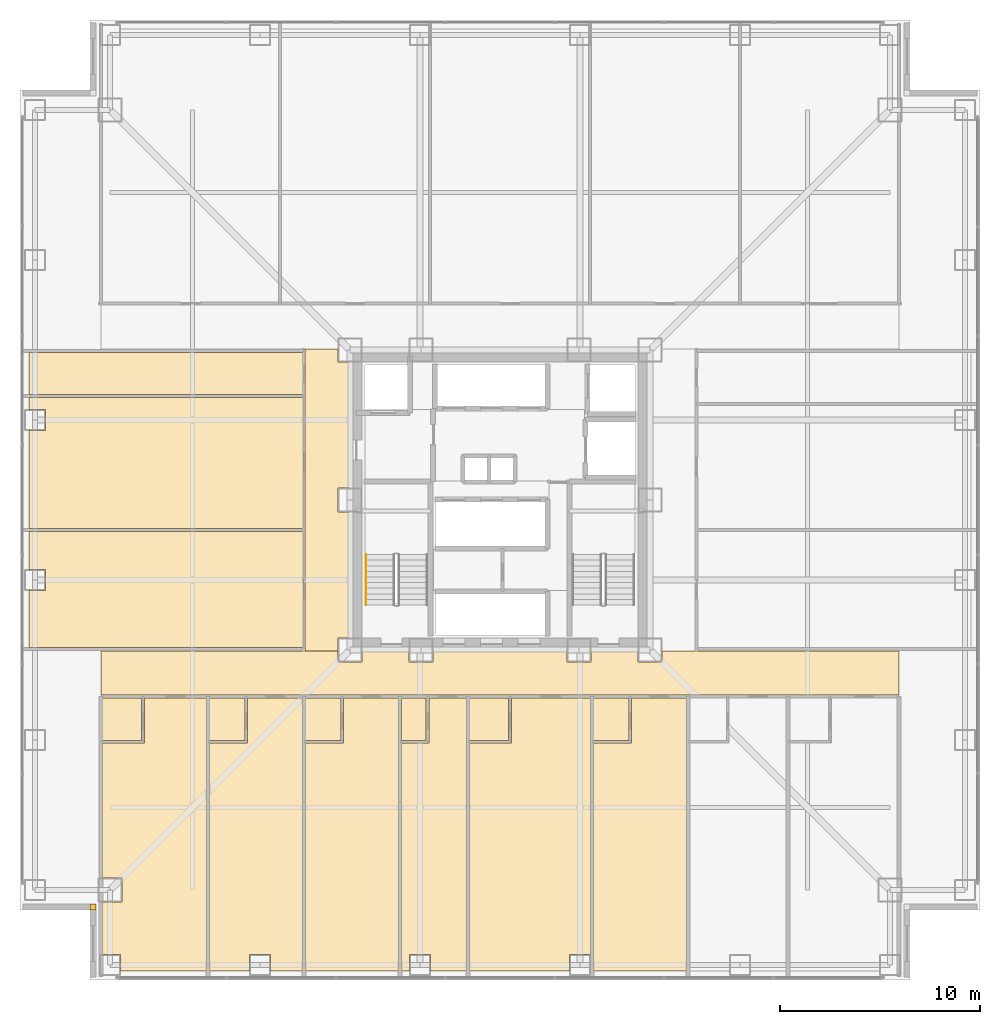
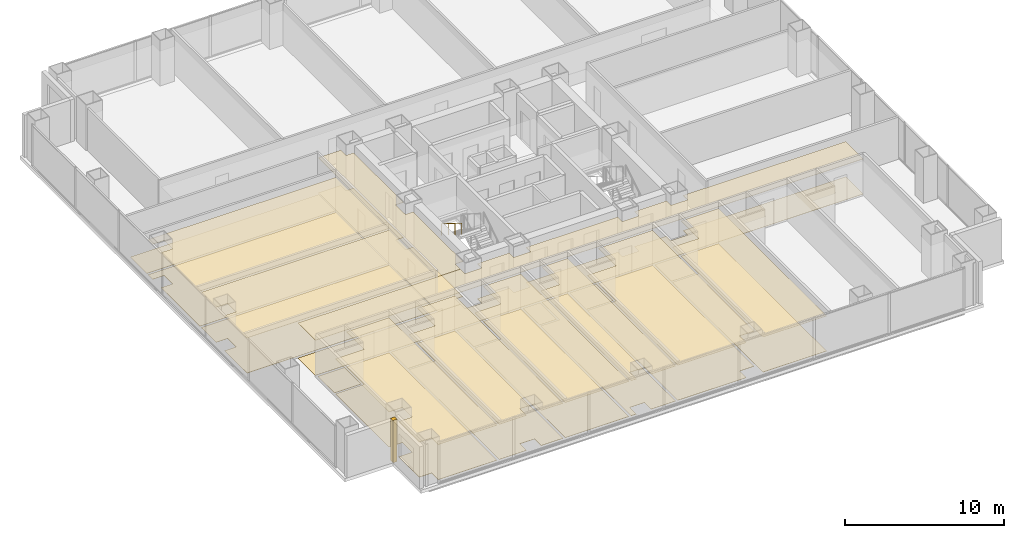
# One storey, part 18 of 20: 28 coverings, 1 railing.
"""IFC4 building model written with IfcOpenShell, lengths in metres."""

from ifc_helpers import new_model, si_unit, direction, frame, origin, origin_2d, place, context, subcontext, project, spatial, polyline, circle, outline, extrude, material, layer, layer_set, type_object, element, save


model = new_model("IFC4")

# Units and contexts
model_context = context("Model", 3, precision=1e-05, world=origin(), true_north=direction((0.0, 1.0)))
body_context = subcontext(model_context, "Body", "Model", "MODEL_VIEW")
ifc_project = project(units=[si_unit("LENGTHUNIT", "METRE"), si_unit("AREAUNIT", "SQUARE_METRE"), si_unit("VOLUMEUNIT", "CUBIC_METRE"), si_unit("PLANEANGLEUNIT", "RADIAN"), si_unit("MASSUNIT", "GRAM", prefix="KILO")], contexts=[model_context])

# Site, building, storey
site_placement = place(None, origin())
site = spatial("IfcSite", under=ifc_project, at=site_placement, CompositionType="ELEMENT")
building_placement = place(site_placement, origin())
building = spatial("IfcBuilding", under=site, at=building_placement, Name="Trevonay Congress Spire", CompositionType="ELEMENT")
storey_placement = place(building_placement, frame((0.0, 0.0, 62.0)))
storey = spatial("IfcBuildingStorey", under=building, at=storey_placement, Name="L15", CompositionType="ELEMENT", Elevation=62.0)

# Coverings
ifc_material_1 = material(Name="Acoustic Mineral Fibre Board", Category="gypsum")
ifc_layer_1 = layer(ifc_material_1, 0.02490234375, Name="Acoustic Mineral Fibre Board")
ifc_layer_set_1 = layer_set([ifc_layer_1], Name="Acoustic Mineral Fibre Board")
covering_type_1 = type_object("IfcCoveringType", Name="COV-CEIL-ACOUSTIC", PredefinedType="CEILING", material=ifc_layer_set_1)
covering_1_placement = place(storey_placement, frame((0.0, 0.0, 2.699951171875)))
element("IfcCovering", 1, at=covering_1_placement, inside=storey, type_object=covering_type_1, Name="L15 Hotel Floor Corridor South acoustic suspended ceiling", PredefinedType="CEILING", context=body_context, shape_type="SweptSolid", body=[
    extrude(outline(polyline([(19.949951171875, -7.550048828125), (19.949951171875, -9.75), (-19.949951171875, -9.75), (-19.949951171875, -7.550048828125), (-8.110107421875, -7.550048828125), (-8.110107421875, -8.110107421875), (-6.889892578125, -8.110107421875), (-6.889892578125, -7.550048828125), (-4.56005859375, -7.550048828125), (-4.56005859375, -8.110107421875), (-3.340087890625, -8.110107421875), (-3.340087890625, -7.550048828125), (3.340087890625, -7.550048828125), (3.340087890625, -8.110107421875), (4.56005859375, -8.110107421875), (4.56005859375, -7.550048828125), (6.889892578125, -7.550048828125), (6.889892578125, -8.110107421875), (8.110107421875, -8.110107421875), (8.110107421875, -7.550048828125), (19.949951171875, -7.550048828125)])), origin(), (0.0, 0.0, 1.0), 0.025146484375),
])
covering_2_placement = place(storey_placement, frame((0.0, 0.0, 2.699951171875)))
element("IfcCovering", 2, at=covering_2_placement, inside=storey, type_object=covering_type_1, Name="L15 Hotel Floor Corridor West acoustic suspended ceiling", PredefinedType="CEILING", context=body_context, shape_type="SweptSolid", body=[
    extrude(outline(polyline([(-9.75, 7.550048828125), (-8.110107421875, 7.550048828125), (-8.110107421875, 6.889892578125), (-7.550048828125, 6.889892578125), (-7.550048828125, 0.610107421875), (-8.110107421875, 0.610107421875), (-8.110107421875, -0.610107421875), (-7.550048828125, -0.610107421875), (-7.550048828125, -6.889892578125), (-8.110107421875, -6.889892578125), (-8.110107421875, -7.550048828125), (-9.75, -7.550048828125), (-9.75, 7.550048828125)])), origin(), (0.0, 0.0, 1.0), 0.025146484375),
])
covering_3_placement = place(storey_placement, frame((0.0, 0.0, 2.699951171875)))
element("IfcCovering", 3, at=covering_3_placement, inside=storey, type_object=covering_type_1, Name="L15 Hotel Guest Room acoustic suspended ceiling", PredefinedType="CEILING", context=body_context, shape_type="SweptSolid", body=[
    extrude(outline(polyline([(-19.8701171875, -12.139892578125), (-17.780029296875, -12.139892578125), (-17.780029296875, -9.909912109375), (-14.679931640625, -9.909912109375), (-14.679931640625, -23.550048828125), (-18.965087890625, -23.550048828125), (-18.965087890625, -22.715087890625), (-19.8701171875, -22.715087890625), (-19.8701171875, -20.110107421875), (-18.889892578125, -20.110107421875), (-18.889892578125, -18.889892578125), (-19.8701171875, -18.889892578125), (-19.8701171875, -12.139892578125)])), origin(), (0.0, 0.0, 1.0), 0.025146484375),
])
covering_4_placement = place(storey_placement, frame((0.0, 0.0, 2.699951171875)))
element("IfcCovering", 4, at=covering_4_placement, inside=storey, type_object=covering_type_1, Name="L15 Corner Hotel Suite acoustic suspended ceiling", PredefinedType="CEILING", context=body_context, shape_type="SweptSolid", body=[
    extrude(outline(polyline([(-14.52001953125, -23.550048828125), (-14.52001953125, -12.139892578125), (-12.616943359375, -12.139892578125), (-12.616943359375, -9.909912109375), (-9.8798828125, -9.909912109375), (-9.8798828125, -23.550048828125), (-11.465087890625, -23.550048828125), (-11.465087890625, -22.715087890625), (-12.534912109375, -22.715087890625), (-12.534912109375, -23.550048828125), (-14.52001953125, -23.550048828125)])), origin(), (0.0, 0.0, 1.0), 0.025146484375),
])
covering_5_placement = place(storey_placement, frame((0.0, 0.0, 2.699951171875)))
element("IfcCovering", 5, at=covering_5_placement, inside=storey, type_object=covering_type_1, Name="L15 Hotel Guest Room acoustic suspended ceiling", PredefinedType="CEILING", context=body_context, shape_type="SweptSolid", body=[
    extrude(outline(polyline([(-9.719970703125, -23.550048828125), (-5.080078125, -23.550048828125), (-5.080078125, -9.909912109375), (-7.81689453125, -9.909912109375), (-7.81689453125, -12.139892578125), (-9.719970703125, -12.139892578125), (-9.719970703125, -23.550048828125)])), origin(), (0.0, 0.0, 1.0), 0.025146484375),
])
covering_6_placement = place(storey_placement, frame((0.0, 0.0, 2.699951171875)))
element("IfcCovering", 6, at=covering_6_placement, inside=storey, type_object=covering_type_1, Name="L15 Hotel Guest Room acoustic suspended ceiling", PredefinedType="CEILING", context=body_context, shape_type="SweptSolid", body=[
    extrude(outline(polyline([(-4.919921875, -23.550048828125), (-4.919921875, -12.139892578125), (-3.549072265625, -12.139892578125), (-3.549072265625, -9.909912109375), (-1.679931640625, -9.909912109375), (-1.679931640625, -23.550048828125), (-3.465087890625, -23.550048828125), (-3.465087890625, -22.715087890625), (-4.534912109375, -22.715087890625), (-4.534912109375, -23.550048828125), (-4.919921875, -23.550048828125)])), origin(), (0.0, 0.0, 1.0), 0.025146484375),
])
covering_7_placement = place(storey_placement, frame((0.0, 0.0, 2.699951171875)))
element("IfcCovering", 7, at=covering_7_placement, inside=storey, type_object=covering_type_1, Name="L15 Hotel Guest Room acoustic suspended ceiling", PredefinedType="CEILING", context=body_context, shape_type="SweptSolid", body=[
    extrude(outline(polyline([(-1.52001953125, -23.550048828125), (-1.52001953125, -12.139892578125), (0.570068359375, -12.139892578125), (0.570068359375, -9.909912109375), (4.52001953125, -9.909912109375), (4.52001953125, -22.715087890625), (3.465087890625, -22.715087890625), (3.465087890625, -23.550048828125), (-1.52001953125, -23.550048828125)])), origin(), (0.0, 0.0, 1.0), 0.025146484375),
])
covering_8_placement = place(storey_placement, frame((0.0, 0.0, 2.699951171875)))
element("IfcCovering", 8, at=covering_8_placement, inside=storey, type_object=covering_type_1, Name="L15 Hotel Guest Room acoustic suspended ceiling", PredefinedType="CEILING", context=body_context, shape_type="SweptSolid", body=[
    extrude(outline(polyline([(4.679931640625, -23.550048828125), (9.320068359375, -23.550048828125), (9.320068359375, -9.909912109375), (6.5830078125, -9.909912109375), (6.5830078125, -12.139892578125), (4.679931640625, -12.139892578125), (4.679931640625, -23.550048828125)])), origin(), (0.0, 0.0, 1.0), 0.025146484375),
])
covering_9_placement = place(storey_placement, frame((0.0, 0.0, 2.699951171875)))
element("IfcCovering", 9, at=covering_9_placement, inside=storey, type_object=covering_type_1, Name="L15 Club Concierge Office acoustic suspended ceiling", PredefinedType="CEILING", context=body_context, shape_type="SweptSolid", body=[
    extrude(outline(polyline([(-23.550048828125, -1.580078125), (-9.830078125, -1.580078125), (-9.830078125, -7.3701171875), (-23.550048828125, -7.3701171875), (-23.550048828125, -4.534912109375), (-22.715087890625, -4.534912109375), (-22.715087890625, -3.465087890625), (-23.550048828125, -3.465087890625), (-23.550048828125, -1.580078125)])), origin(), (0.0, 0.0, 1.0), 0.025146484375),
])
covering_10_placement = place(storey_placement, frame((0.0, 0.0, 2.699951171875)))
element("IfcCovering", 10, at=covering_10_placement, inside=storey, type_object=covering_type_1, Name="L15 Protocol Briefing Office acoustic suspended ceiling", PredefinedType="CEILING", context=body_context, shape_type="SweptSolid", body=[
    extrude(outline(polyline([(-23.550048828125, 5.1201171875), (-9.830078125, 5.1201171875), (-9.830078125, -1.419921875), (-23.550048828125, -1.419921875), (-23.550048828125, 3.465087890625), (-22.715087890625, 3.465087890625), (-22.715087890625, 4.534912109375), (-23.550048828125, 4.534912109375), (-23.550048828125, 5.1201171875)])), origin(), (0.0, 0.0, 1.0), 0.025146484375),
])
ifc_material_2 = material(Name="Polished Granite Floor Tile", Category="masonry")
ifc_layer_2 = layer(ifc_material_2, 0.02001953125, Name="Polished Granite Floor Tile")
ifc_layer_set_2 = layer_set([ifc_layer_2], Name="Polished Granite Floor Tile")
covering_type_2 = type_object("IfcCoveringType", Name="COV-FLOOR-STONE", PredefinedType="FLOORING", material=ifc_layer_set_2)
covering_11_placement = place(storey_placement, origin())
element("IfcCovering", 11, at=covering_11_placement, inside=storey, type_object=covering_type_2, Name="L15 Hotel Floor Corridor South floor finish", PredefinedType="FLOORING", context=body_context, shape_type="SweptSolid", body=[
    extrude(outline(polyline([(19.949951171875, -7.550048828125), (19.949951171875, -9.75), (-19.949951171875, -9.75), (-19.949951171875, -7.550048828125), (-8.110107421875, -7.550048828125), (-8.110107421875, -8.110107421875), (-6.889892578125, -8.110107421875), (-6.889892578125, -7.550048828125), (-4.56005859375, -7.550048828125), (-4.56005859375, -8.110107421875), (-3.340087890625, -8.110107421875), (-3.340087890625, -7.550048828125), (3.340087890625, -7.550048828125), (3.340087890625, -8.110107421875), (4.56005859375, -8.110107421875), (4.56005859375, -7.550048828125), (6.889892578125, -7.550048828125), (6.889892578125, -8.110107421875), (8.110107421875, -8.110107421875), (8.110107421875, -7.550048828125), (19.949951171875, -7.550048828125)])), origin(), (0.0, 0.0, 1.0), 0.02001953125),
])
covering_12_placement = place(storey_placement, origin())
element("IfcCovering", 12, at=covering_12_placement, inside=storey, type_object=covering_type_2, Name="L15 Hotel Floor Corridor West floor finish", PredefinedType="FLOORING", context=body_context, shape_type="SweptSolid", body=[
    extrude(outline(polyline([(-9.75, 7.550048828125), (-8.110107421875, 7.550048828125), (-8.110107421875, 6.889892578125), (-7.550048828125, 6.889892578125), (-7.550048828125, 0.610107421875), (-8.110107421875, 0.610107421875), (-8.110107421875, -0.610107421875), (-7.550048828125, -0.610107421875), (-7.550048828125, -6.889892578125), (-8.110107421875, -6.889892578125), (-8.110107421875, -7.550048828125), (-9.75, -7.550048828125), (-9.75, 7.550048828125)])), origin(), (0.0, 0.0, 1.0), 0.02001953125),
])
covering_13_placement = place(storey_placement, origin())
element("IfcCovering", 13, at=covering_13_placement, inside=storey, type_object=covering_type_2, Name="L15 En-suite Bathroom floor finish", PredefinedType="FLOORING", context=body_context, shape_type="SweptSolid", body=[
    extrude(outline(polyline([(-19.8701171875, -12.02001953125), (-17.919921875, -12.02001953125), (-17.919921875, -9.909912109375), (-19.8701171875, -9.909912109375), (-19.8701171875, -12.02001953125)])), origin(), (0.0, 0.0, 1.0), 0.02001953125),
])
covering_14_placement = place(storey_placement, origin())
element("IfcCovering", 14, at=covering_14_placement, inside=storey, type_object=covering_type_2, Name="L15 En-suite Bathroom floor finish", PredefinedType="FLOORING", context=body_context, shape_type="SweptSolid", body=[
    extrude(outline(polyline([(-14.52001953125, -12.02001953125), (-12.757080078125, -12.02001953125), (-12.757080078125, -9.909912109375), (-14.52001953125, -9.909912109375), (-14.52001953125, -12.02001953125)])), origin(), (0.0, 0.0, 1.0), 0.02001953125),
])
covering_15_placement = place(storey_placement, origin())
element("IfcCovering", 15, at=covering_15_placement, inside=storey, type_object=covering_type_2, Name="L15 En-suite Bathroom floor finish", PredefinedType="FLOORING", context=body_context, shape_type="SweptSolid", body=[
    extrude(outline(polyline([(-9.719970703125, -12.02001953125), (-7.95703125, -12.02001953125), (-7.95703125, -9.909912109375), (-9.719970703125, -9.909912109375), (-9.719970703125, -12.02001953125)])), origin(), (0.0, 0.0, 1.0), 0.02001953125),
])
covering_16_placement = place(storey_placement, origin())
element("IfcCovering", 16, at=covering_16_placement, inside=storey, type_object=covering_type_2, Name="L15 En-suite Bathroom floor finish", PredefinedType="FLOORING", context=body_context, shape_type="SweptSolid", body=[
    extrude(outline(polyline([(-4.919921875, -12.02001953125), (-3.68896484375, -12.02001953125), (-3.68896484375, -9.909912109375), (-4.919921875, -9.909912109375), (-4.919921875, -12.02001953125)])), origin(), (0.0, 0.0, 1.0), 0.02001953125),
])
covering_17_placement = place(storey_placement, origin())
element("IfcCovering", 17, at=covering_17_placement, inside=storey, type_object=covering_type_2, Name="L15 En-suite Bathroom floor finish", PredefinedType="FLOORING", context=body_context, shape_type="SweptSolid", body=[
    extrude(outline(polyline([(-1.52001953125, -12.02001953125), (0.429931640625, -12.02001953125), (0.429931640625, -9.909912109375), (-1.52001953125, -9.909912109375), (-1.52001953125, -12.02001953125)])), origin(), (0.0, 0.0, 1.0), 0.02001953125),
])
covering_18_placement = place(storey_placement, origin())
element("IfcCovering", 18, at=covering_18_placement, inside=storey, type_object=covering_type_2, Name="L15 En-suite Bathroom floor finish", PredefinedType="FLOORING", context=body_context, shape_type="SweptSolid", body=[
    extrude(outline(polyline([(4.679931640625, -12.02001953125), (6.443115234375, -12.02001953125), (6.443115234375, -9.909912109375), (4.679931640625, -9.909912109375), (4.679931640625, -12.02001953125)])), origin(), (0.0, 0.0, 1.0), 0.02001953125),
])
covering_19_placement = place(storey_placement, origin())
element("IfcCovering", 19, at=covering_19_placement, inside=storey, type_object=covering_type_2, Name="L15 Accessible WC floor finish", PredefinedType="FLOORING", context=body_context, shape_type="SweptSolid", body=[
    extrude(outline(polyline([(-23.550048828125, 5.280029296875), (-9.830078125, 5.280029296875), (-9.830078125, 7.3701171875), (-23.550048828125, 7.3701171875), (-23.550048828125, 5.280029296875)])), origin(), (0.0, 0.0, 1.0), 0.02001953125),
])
ifc_material_3 = material(Name="Engineered Oak Flooring", Category="wood")
ifc_layer_3 = layer(ifc_material_3, 0.01806640625, Name="Engineered Oak Flooring")
ifc_layer_set_3 = layer_set([ifc_layer_3], Name="Engineered Oak Flooring")
covering_type_3 = type_object("IfcCoveringType", Name="COV-FLOOR-TIMBER", PredefinedType="FLOORING", material=ifc_layer_set_3)
covering_20_placement = place(storey_placement, origin())
element("IfcCovering", 20, at=covering_20_placement, inside=storey, type_object=covering_type_3, Name="L15 Hotel Guest Room floor finish", PredefinedType="FLOORING", context=body_context, shape_type="SweptSolid", body=[
    extrude(outline(polyline([(-19.8701171875, -12.139892578125), (-17.780029296875, -12.139892578125), (-17.780029296875, -9.909912109375), (-14.679931640625, -9.909912109375), (-14.679931640625, -23.550048828125), (-18.965087890625, -23.550048828125), (-18.965087890625, -22.715087890625), (-19.8701171875, -22.715087890625), (-19.8701171875, -20.110107421875), (-18.889892578125, -20.110107421875), (-18.889892578125, -18.889892578125), (-19.8701171875, -18.889892578125), (-19.8701171875, -12.139892578125)])), origin(), (0.0, 0.0, 1.0), 0.01806640625),
])
covering_21_placement = place(storey_placement, origin())
element("IfcCovering", 21, at=covering_21_placement, inside=storey, type_object=covering_type_3, Name="L15 Corner Hotel Suite floor finish", PredefinedType="FLOORING", context=body_context, shape_type="SweptSolid", body=[
    extrude(outline(polyline([(-14.52001953125, -23.550048828125), (-14.52001953125, -12.139892578125), (-12.616943359375, -12.139892578125), (-12.616943359375, -9.909912109375), (-9.8798828125, -9.909912109375), (-9.8798828125, -23.550048828125), (-11.465087890625, -23.550048828125), (-11.465087890625, -22.715087890625), (-12.534912109375, -22.715087890625), (-12.534912109375, -23.550048828125), (-14.52001953125, -23.550048828125)])), origin(), (0.0, 0.0, 1.0), 0.01806640625),
])
covering_22_placement = place(storey_placement, origin())
element("IfcCovering", 22, at=covering_22_placement, inside=storey, type_object=covering_type_3, Name="L15 Hotel Guest Room floor finish", PredefinedType="FLOORING", context=body_context, shape_type="SweptSolid", body=[
    extrude(outline(polyline([(-9.719970703125, -23.550048828125), (-5.080078125, -23.550048828125), (-5.080078125, -9.909912109375), (-7.81689453125, -9.909912109375), (-7.81689453125, -12.139892578125), (-9.719970703125, -12.139892578125), (-9.719970703125, -23.550048828125)])), origin(), (0.0, 0.0, 1.0), 0.01806640625),
])
covering_23_placement = place(storey_placement, origin())
element("IfcCovering", 23, at=covering_23_placement, inside=storey, type_object=covering_type_3, Name="L15 Hotel Guest Room floor finish", PredefinedType="FLOORING", context=body_context, shape_type="SweptSolid", body=[
    extrude(outline(polyline([(-4.919921875, -23.550048828125), (-4.919921875, -12.139892578125), (-3.549072265625, -12.139892578125), (-3.549072265625, -9.909912109375), (-1.679931640625, -9.909912109375), (-1.679931640625, -23.550048828125), (-3.465087890625, -23.550048828125), (-3.465087890625, -22.715087890625), (-4.534912109375, -22.715087890625), (-4.534912109375, -23.550048828125), (-4.919921875, -23.550048828125)])), origin(), (0.0, 0.0, 1.0), 0.01806640625),
])
covering_24_placement = place(storey_placement, origin())
element("IfcCovering", 24, at=covering_24_placement, inside=storey, type_object=covering_type_3, Name="L15 Hotel Guest Room floor finish", PredefinedType="FLOORING", context=body_context, shape_type="SweptSolid", body=[
    extrude(outline(polyline([(-1.52001953125, -23.550048828125), (-1.52001953125, -12.139892578125), (0.570068359375, -12.139892578125), (0.570068359375, -9.909912109375), (4.52001953125, -9.909912109375), (4.52001953125, -22.715087890625), (3.465087890625, -22.715087890625), (3.465087890625, -23.550048828125), (-1.52001953125, -23.550048828125)])), origin(), (0.0, 0.0, 1.0), 0.01806640625),
])
covering_25_placement = place(storey_placement, origin())
element("IfcCovering", 25, at=covering_25_placement, inside=storey, type_object=covering_type_3, Name="L15 Hotel Guest Room floor finish", PredefinedType="FLOORING", context=body_context, shape_type="SweptSolid", body=[
    extrude(outline(polyline([(4.679931640625, -23.550048828125), (9.320068359375, -23.550048828125), (9.320068359375, -9.909912109375), (6.5830078125, -9.909912109375), (6.5830078125, -12.139892578125), (4.679931640625, -12.139892578125), (4.679931640625, -23.550048828125)])), origin(), (0.0, 0.0, 1.0), 0.01806640625),
])
covering_26_placement = place(storey_placement, origin())
element("IfcCovering", 26, at=covering_26_placement, inside=storey, type_object=covering_type_3, Name="L15 Club Concierge Office floor finish", PredefinedType="FLOORING", context=body_context, shape_type="SweptSolid", body=[
    extrude(outline(polyline([(-23.550048828125, -1.580078125), (-9.830078125, -1.580078125), (-9.830078125, -7.3701171875), (-23.550048828125, -7.3701171875), (-23.550048828125, -4.534912109375), (-22.715087890625, -4.534912109375), (-22.715087890625, -3.465087890625), (-23.550048828125, -3.465087890625), (-23.550048828125, -1.580078125)])), origin(), (0.0, 0.0, 1.0), 0.01806640625),
])
covering_27_placement = place(storey_placement, origin())
element("IfcCovering", 27, at=covering_27_placement, inside=storey, type_object=covering_type_3, Name="L15 Protocol Briefing Office floor finish", PredefinedType="FLOORING", context=body_context, shape_type="SweptSolid", body=[
    extrude(outline(polyline([(-23.550048828125, 5.1201171875), (-9.830078125, 5.1201171875), (-9.830078125, -1.419921875), (-23.550048828125, -1.419921875), (-23.550048828125, 3.465087890625), (-22.715087890625, 3.465087890625), (-22.715087890625, 4.534912109375), (-23.550048828125, 4.534912109375), (-23.550048828125, 5.1201171875)])), origin(), (0.0, 0.0, 1.0), 0.01806640625),
])
ifc_material_4 = material(Name="Pale Anodised Aluminium EN AW-6063-T6", Category="aluminium")
ifc_layer_4 = layer(ifc_material_4, 0.0400390625, Name="Pale Anodised Aluminium EN AW-6063-T6")
ifc_layer_set_4 = layer_set([ifc_layer_4], Name="Pale Anodised Aluminium EN AW-6063-T6")
covering_type_4 = type_object("IfcCoveringType", Name="COV-SPANDREL-PALE-METAL", PredefinedType="CLADDING", material=ifc_layer_set_4)
covering_28_placement = place(storey_placement, origin())
element("IfcCovering", 28, at=covering_28_placement, inside=storey, type_object=covering_type_4, Name="L15 SW re-entrant notch corner closure trim", PredefinedType="CLADDING", context=body_context, shape_type="SweptSolid", body=[
    extrude(outline(polyline([(-20.5, -20.5), (-20.199951171875, -20.5), (-20.199951171875, -20.199951171875), (-20.5, -20.199951171875), (-20.5, -20.5)])), origin(), (0.0, 0.0, 1.0), 3.25),
])

# Railing
railing_type = type_object("IfcRailingType", Name="RAL-STAIR-HANDRAIL", PredefinedType="HANDRAIL", material=ifc_material_4)
railing_placement = place(storey_placement, frame((-6.699951171875, -2.72998046875, 1.925048828125)))
element("IfcRailing", 29, at=railing_placement, inside=storey, type_object=railing_type, Name="L15 ST-1 stair handrail 2", PredefinedType="HANDRAIL", context=body_context, shape_type="SweptSolid", body=[
    extrude(circle(Radius=0.02392578125, at=origin_2d()), frame((0.0, 0.0, 0.8759765625), z_axis=(0.0, -0.848007534815, 0.529984170421), x_axis=(1.0, 0.0, 0.0)), (0.0, 0.0, 1.0), 2.9716796875),
    extrude(circle(Radius=0.02099609375, at=origin_2d()), origin(), (0.0, 0.0, 1.0), 0.851806640625),
    extrude(circle(Radius=0.02099609375, at=origin_2d()), frame((0.0, -0.840087890625, 0.52490234375)), (0.0, 0.0, 1.0), 0.851806640625),
    extrude(circle(Radius=0.02099609375, at=origin_2d()), frame((0.0, -1.679931640625, 1.050048828125)), (0.0, 0.0, 1.0), 0.851806640625),
    extrude(circle(Radius=0.02099609375, at=origin_2d()), frame((0.0, -2.52001953125, 1.574951171875)), (0.0, 0.0, 1.0), 0.851806640625),
])

save(model, "model.ifc")
